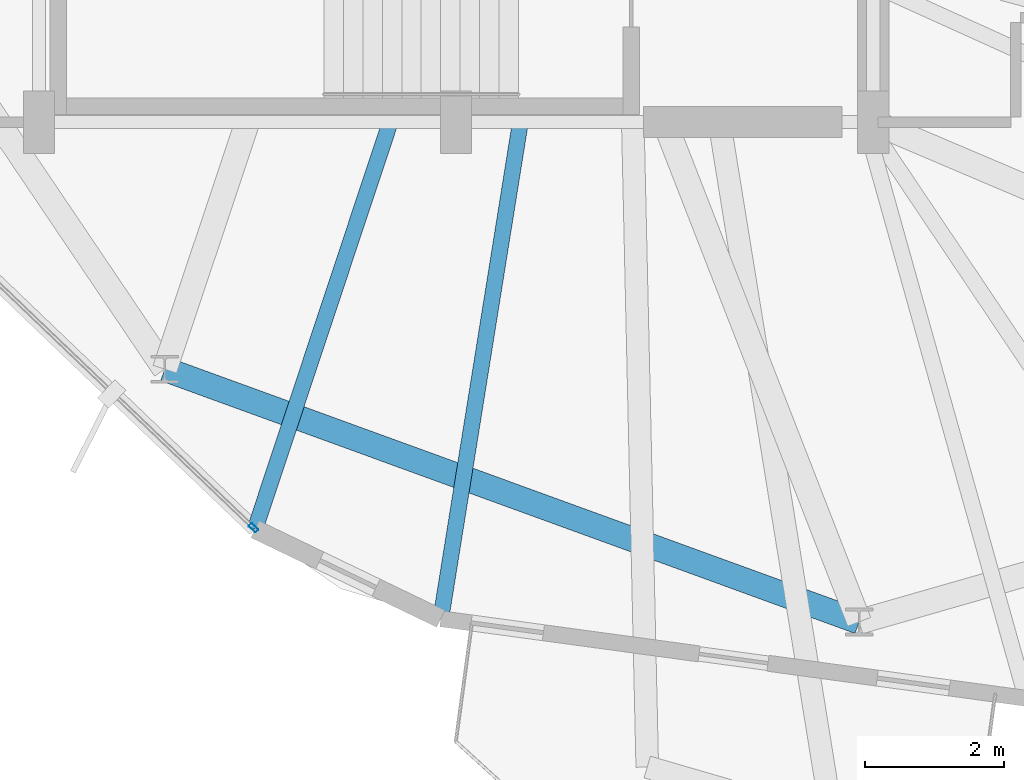
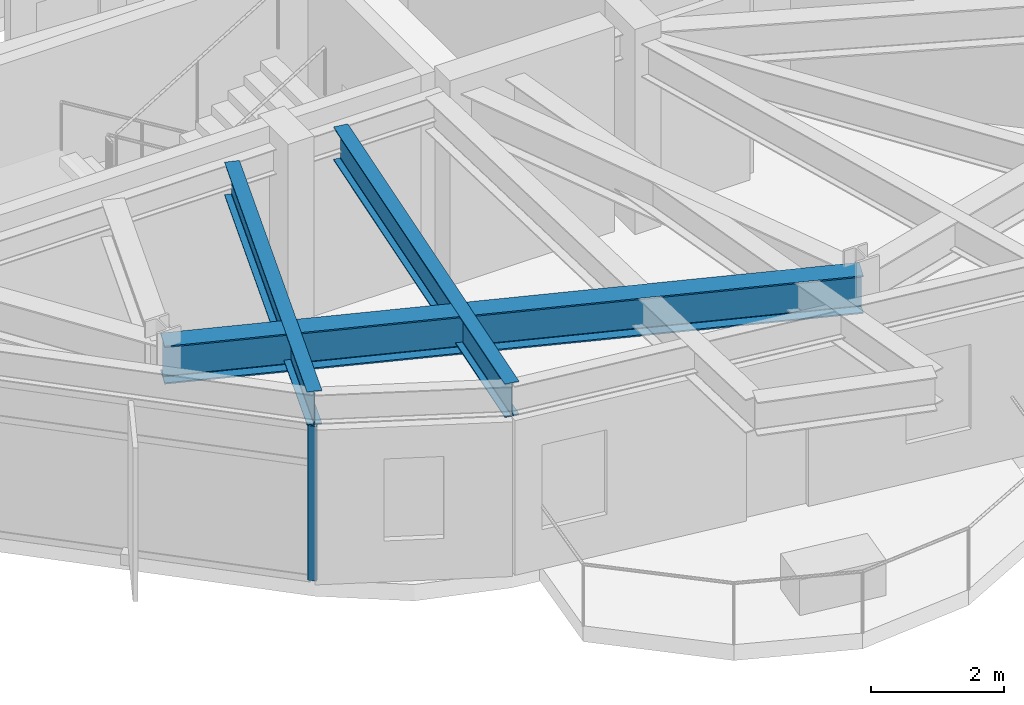
# One storey, part 2 of 26: 3 beams, 1 member, 1 element without a shape of its own.
"""IFC4 building model written with IfcOpenShell, lengths in metres."""

from ifc_helpers import new_model, si_unit, direction, frame, origin, origin_2d, place, context, subcontext, project, spatial, hollow_rectangle, i_section, extrude, material, layer, layer_set, material_profile, profile_set, type_object, element, aggregate, save


model = new_model("IFC4")

# Units and contexts
model_context = context("Model", 3, precision=1e-05, world=origin(), true_north=direction((0.0, 1.0)))
body_context = subcontext(model_context, "Body", "Model", "MODEL_VIEW")
ifc_project = project(units=[si_unit("LENGTHUNIT", "METRE"), si_unit("AREAUNIT", "SQUARE_METRE"), si_unit("VOLUMEUNIT", "CUBIC_METRE"), si_unit("PLANEANGLEUNIT", "RADIAN"), si_unit("MASSUNIT", "GRAM", prefix="KILO")], contexts=[model_context])

# Site, building, storey
site_placement = place(None, origin())
site = spatial("IfcSite", under=ifc_project, at=site_placement, CompositionType="ELEMENT")
building_placement = place(site_placement, origin())
building = spatial("IfcBuilding", under=site, at=building_placement, Name="Soratama Intermodal Tower", CompositionType="ELEMENT")
storey_placement = place(building_placement, frame((0.0, 0.0, 268.75)))
storey = spatial("IfcBuildingStorey", under=building, at=storey_placement, Name="L68", CompositionType="ELEMENT", Elevation=268.75)

# Beams
ifc_material_1 = material(Name="Structural steel ASTM A992 Grade 50", Category="steel")
ifc_material_profile_1 = material_profile(ifc_material_1, i_section(OverallWidth=0.35498046875, OverallDepth=0.695068359375, WebThickness=0.015380859375, FlangeThickness=0.02490234375, FilletRadius=0.01611328125, at=origin_2d()), Name="W27X146")
ifc_profile_set_1 = profile_set([ifc_material_profile_1], Name="Structural steel ASTM A992 Grade 50")
beam_type_1 = type_object("IfcBeamType", Name="BM-RING-W27X146", PredefinedType="BEAM", material=ifc_profile_set_1)
beam_1_placement = place(storey_placement, frame((34.410888671875, 11.446044921875, 3.1025390625), z_axis=(0.939713598519, -0.341962501976, 0.0), x_axis=(0.341962501976, 0.939713598519, 0.0)))
element("IfcBeam", 1, at=beam_1_placement, inside=storey, type_object=beam_type_1, Name="BM-L68-RING-07", PredefinedType="BEAM", context=body_context, shape_type="SweptSolid", body=[
    extrude(i_section(OverallWidth=0.35498046875, OverallDepth=0.695068359375, WebThickness=0.015380859375, FlangeThickness=0.02490234375, FilletRadius=0.01611328125, at=origin_2d()), origin(), (0.0, 0.0, 1.0), 10.6298828125),
])
ifc_material_2 = material(Name="Structural steel ASTM A992 Grade 50", Category="steel")
ifc_material_profile_2 = material_profile(ifc_material_2, i_section(OverallWidth=0.22900390625, OverallDepth=0.612060546875, WebThickness=0.011962890625, FlangeThickness=0.01953125, FilletRadius=0.012939453125, at=origin_2d()), Name="W24X84")
ifc_profile_set_2 = profile_set([ifc_material_profile_2], Name="Structural steel ASTM A992 Grade 50")
beam_type_2 = type_object("IfcBeamType", Name="BM-TIE-W24X84", PredefinedType="BEAM", material=ifc_profile_set_2)
beam_2_placement = place(storey_placement, frame((37.64111328125, 14.9619140625, 3.14404296875), z_axis=(-0.31517618802, -0.949033176715, 0.0), x_axis=(0.949033176715, -0.31517618802, 0.0)))
element("IfcBeam", 2, at=beam_2_placement, inside=storey, type_object=beam_type_2, Name="BM-L68-TIE1-05", PredefinedType="BEAM", context=body_context, shape_type="SweptSolid", body=[
    extrude(i_section(OverallWidth=0.22900390625, OverallDepth=0.612060546875, WebThickness=0.011962890625, FlangeThickness=0.01953125, FilletRadius=0.012939453125, at=origin_2d()), origin(), (0.0, 0.0, 1.0), 6.13037109375),
])
beam_3_placement = place(storey_placement, frame((39.52001953125, 14.9609375, 3.14404296875), z_axis=(-0.158256437894, -0.987398045302, 0.0), x_axis=(0.987398045302, -0.158256437894, 0.0)))
element("IfcBeam", 3, at=beam_3_placement, inside=storey, type_object=beam_type_2, Name="BM-L68-TIE0-06", PredefinedType="BEAM", context=body_context, shape_type="SweptSolid", body=[
    extrude(i_section(OverallWidth=0.22900390625, OverallDepth=0.612060546875, WebThickness=0.011962890625, FlangeThickness=0.01953125, FilletRadius=0.012939453125, at=origin_2d()), origin(), (0.0, 0.0, 1.0), 7.196533203125),
])

# Curtain wall, member
ifc_material_3 = material(Name="Double-glazed aluminium curtain wall", Category="aluminium")
ifc_layer = layer(ifc_material_3, 0.159912109375)
ifc_layer_set = layer_set([ifc_layer], Name="Double-glazed aluminium curtain wall")
curtain_wall_type = type_object("IfcCurtainWallType", Name="CW-SYS-5", PredefinedType="NOTDEFINED", material=ifc_layer_set)
curtain_wall_placement = place(storey_placement, origin())
curtain_wall = element("IfcCurtainWall", 4, at=curtain_wall_placement, inside=storey, type_object=curtain_wall_type, Name="L68 Faceted Curtain Wall F05", PredefinedType="NOTDEFINED")
ifc_material_4 = material(Name="Anodised aluminium AA 6063-T6", Category="aluminium")
ifc_material_profile_3 = material_profile(ifc_material_4, hollow_rectangle(XDim=0.06494140625, YDim=0.139892578125, WallThickness=0.0048828125, InnerFilletRadius=0.0048828125, OuterFilletRadius=0.010009765625, at=origin_2d()), Name="CWM140X65X5")
ifc_profile_set_3 = profile_set([ifc_material_profile_3], Name="Anodised aluminium AA 6063-T6")
member_type = type_object("IfcMemberType", Name="MT-CWM-5", PredefinedType="MULLION", material=ifc_profile_set_3)
member_placement = place(storey_placement, frame((35.68701171875, 9.16455078125, 0.0), z_axis=(0.0, 0.0, 1.0), x_axis=(0.69138850951, 0.722483168605, 0.0)))
member = element("IfcMember", 5, at=member_placement, type_object=member_type, Name="CW-5 mullion 2", PredefinedType="MULLION", context=body_context, shape_type="SweptSolid", body=[
    extrude(hollow_rectangle(XDim=0.06494140625, YDim=0.139892578125, WallThickness=0.0048828125, InnerFilletRadius=0.0048828125, OuterFilletRadius=0.010009765625, at=origin_2d()), origin(), (0.0, 0.0, 1.0), 2.8291015625),
])
aggregate(curtain_wall, [member])

save(model, "model.ifc")
